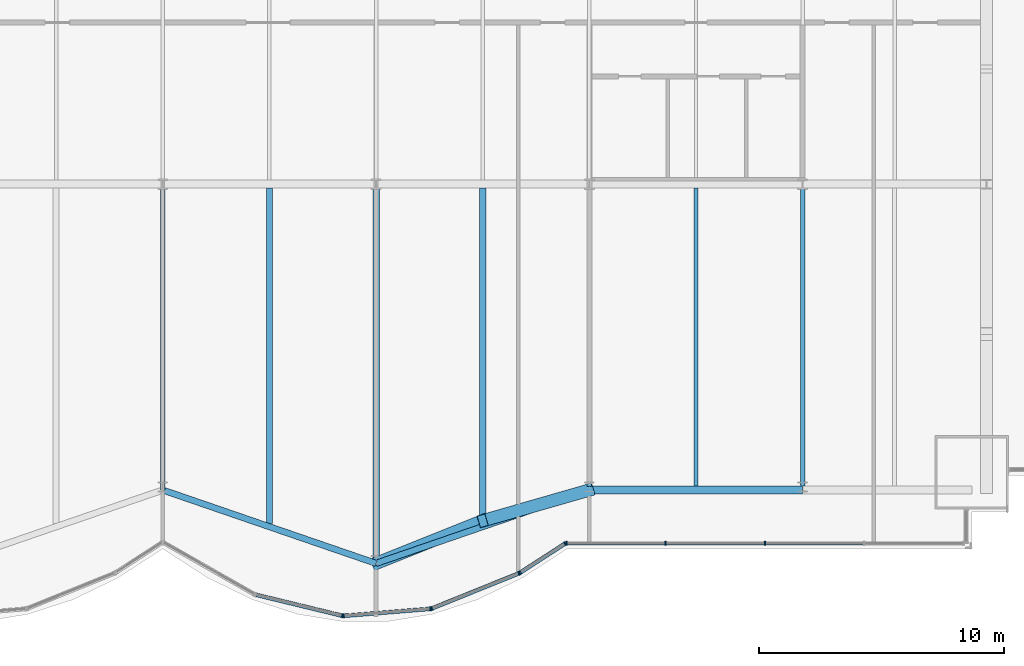
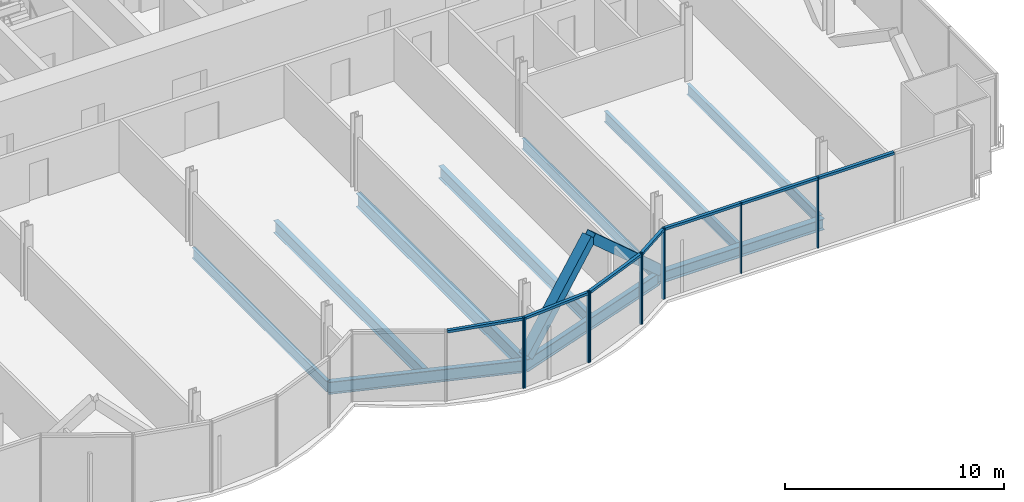
# One storey, part 8 of 21: 19 members, 10 beams, 2 elements without a shape of their own.
"""IFC4 building model written with IfcOpenShell, lengths in metres."""

import ifcopenshell
import ifcopenshell.guid

model = None  # the IFC model being written
_history = None  # IfcOwnerHistory: only IFC2X3 demands one
_inside = {}  # id of a spatial element -> (the spatial element, [elements in it])
_under = {}  # id of a project, library or spatial element -> (it, [spatial elements below it])
_declared = {}  # id of a project -> (the project, [libraries it declares])
_typed = {}  # id of a type object -> (the type object, [elements of that type])
_made_of = {}  # id of a material, layer set ... -> (it, [elements and type objects made of it])


def new_model(schema):
    """Start an empty IFC model of exactly this schema.

    Asked for "IFC4X3", IfcOpenShell would pick the latest addendum, in which some entities
    have other attributes; the version numbers below select the first issue.
    IFC2X3 requires an IfcOwnerHistory on every rooted entity: one is made here for all.
    """
    global model, _history
    if schema == "IFC4X3":
        model = ifcopenshell.file(schema_version=(4, 3, 0, 0))
    else:
        model = ifcopenshell.file(schema=schema)
    _inside.clear()
    _under.clear()
    _declared.clear()
    _typed.clear()
    _made_of.clear()
    _history = None
    if model.schema == "IFC2X3":
        org = make("IfcOrganization", Name="unknown")
        user = make(
            "IfcPersonAndOrganization",
            ThePerson=make("IfcPerson", FamilyName="unknown"),
            TheOrganization=org,
        )
        app = make(
            "IfcApplication",
            ApplicationDeveloper=org,
            Version="unknown",
            ApplicationFullName="unknown",
            ApplicationIdentifier="unknown",
        )
        _history = make(
            "IfcOwnerHistory",
            OwningUser=user,
            OwningApplication=app,
            ChangeAction="ADDED",
            CreationDate=0,
        )
    return model


def make(cls, **values):
    """One entity of the class cls with the attributes given. An attribute that is None is left unset."""
    return model.create_entity(
        cls, **{name: value for name, value in values.items() if value is not None}
    )


def rooted(cls, **values):
    """An entity with a GlobalId (a new one), such as an element, a storey or a relation."""
    return make(cls, GlobalId=ifcopenshell.guid.new(), OwnerHistory=_history, **values)


def si_unit(unit_type, name, prefix=None):
    """IfcSIUnit, for example si_unit("LENGTHUNIT", "METRE", prefix="MILLI")."""
    return make("IfcSIUnit", UnitType=unit_type, Prefix=prefix, Name=name)


def assignment(units):
    """IfcUnitAssignment: the units of a project."""
    return None if units is None else make("IfcUnitAssignment", Units=units)


def point(xyz):
    """IfcCartesianPoint."""
    return None if xyz is None else make("IfcCartesianPoint", Coordinates=xyz)


def direction(xyz):
    """IfcDirection."""
    return None if xyz is None else make("IfcDirection", DirectionRatios=xyz)


def frame(location, z_axis=None, x_axis=None):
    """IfcAxis2Placement3D, a coordinate frame: its origin and axes. An axis left out is left unset."""
    return make(
        "IfcAxis2Placement3D",
        Location=point(location),
        Axis=direction(z_axis),
        RefDirection=direction(x_axis),
    )


def frame_2d(location, x_axis=None):
    """IfcAxis2Placement2D, a coordinate frame in the plane: its origin and x axis."""
    return make(
        "IfcAxis2Placement2D", Location=point(location), RefDirection=direction(x_axis)
    )


def origin():
    """The frame at (0, 0, 0) with its axes left unset."""
    return frame((0.0, 0.0, 0.0))


def origin_2d():
    """The frame at (0, 0) in the plane with its x axis left unset."""
    return frame_2d((0.0, 0.0))


def place(relative_to, where):
    """IfcLocalPlacement: puts the frame where relative to a parent placement (None: the world)."""
    return make(
        "IfcLocalPlacement", PlacementRelTo=relative_to, RelativePlacement=where
    )


def context(
    kind, dimensions, precision=None, world=None, true_north=None, identifier=None
):
    """IfcGeometricRepresentationContext, for example the 3D "Model" context."""
    return make(
        "IfcGeometricRepresentationContext",
        ContextIdentifier=identifier,
        ContextType=kind,
        CoordinateSpaceDimension=dimensions,
        Precision=precision,
        WorldCoordinateSystem=world,
        TrueNorth=true_north,
    )


def subcontext(parent, identifier, kind, view, scale=None):
    """IfcGeometricRepresentationSubContext, for example "Body" below "Model"."""
    return make(
        "IfcGeometricRepresentationSubContext",
        ContextIdentifier=identifier,
        ContextType=kind,
        ParentContext=parent,
        TargetScale=scale,
        TargetView=view,
    )


def project(units=None, contexts=None):
    """IfcProject with its units and contexts."""
    return rooted(
        "IfcProject",
        Name="project",
        RepresentationContexts=contexts,
        UnitsInContext=assignment(units),
    )


def spatial(cls, under=None, at=None, **own):
    """A site, building, storey or space (cls), placed at a placement, below another one or the project."""
    s = rooted(cls, ObjectPlacement=at, **own)
    if under is not None:
        _under.setdefault(under.id(), (under, []))[1].append(s)
    return s


def profile(cls, at=None, kind="AREA", **sizes):
    """A parametric profile (cls). Its sizes go by their IFC names, for example OverallWidth=200.0."""
    return make(cls, ProfileType=kind, Position=at, **sizes)


def rectangle(**sizes):
    """IfcRectangleProfileDef."""
    return profile("IfcRectangleProfileDef", **sizes)


def hollow_rectangle(**sizes):
    """IfcRectangleHollowProfileDef."""
    return profile("IfcRectangleHollowProfileDef", **sizes)


def i_section(**sizes):
    """IfcIShapeProfileDef."""
    return profile("IfcIShapeProfileDef", **sizes)


def extrude(swept, where, along, depth):
    """IfcExtrudedAreaSolid: the profile swept, set in the frame where, extruded along a direction by depth."""
    return make(
        "IfcExtrudedAreaSolid",
        SweptArea=swept,
        Position=where,
        ExtrudedDirection=direction(along),
        Depth=depth,
    )


def shape(context_of_items, identifier, shape_type, items):
    """IfcShapeRepresentation: the items that make up one representation, for example the "Body"."""
    return make(
        "IfcShapeRepresentation",
        ContextOfItems=context_of_items,
        RepresentationIdentifier=identifier,
        RepresentationType=shape_type,
        Items=items,
    )


def material(Name=None, Category=None):
    """IfcMaterial."""
    return make("IfcMaterial", Name=Name, Category=Category)


def material_profile(
    of_material, cross_section, Name=None, Category=None, Priority=None
):
    """IfcMaterialProfile: a cross section and its material."""
    return make(
        "IfcMaterialProfile",
        Name=Name,
        Material=of_material,
        Profile=cross_section,
        Priority=Priority,
        Category=Category,
    )


def profile_set(profiles, Name=None, composite=None):
    """IfcMaterialProfileSet."""
    return make(
        "IfcMaterialProfileSet",
        Name=Name,
        MaterialProfiles=profiles,
        CompositeProfile=composite,
    )


def made_of(thing, what):
    """Note that an element or type object is made of a material, layer set ...; save() writes the relation."""
    if what is not None:
        _made_of.setdefault(what.id(), (what, []))[1].append(thing)
    return thing


def type_object(cls, material=None, **own):
    """A type object (cls), such as IfcWallType, which elements share."""
    return made_of(rooted(cls, **own), material)


def element(
    cls,
    number,
    at=None,
    inside=None,
    cuts=None,
    type_object=None,
    material=None,
    context=None,
    identifier="Body",
    shape_type=None,
    held_by="IfcProductDefinitionShape",
    body=None,
    shapes=None,
    **own,
):
    """One element of the class cls, such as IfcWall. Its Tag is "e" and its number.

    at: its placement. inside: the storey or other place that contains it. cuts: it is an
    opening in that element (IfcRelVoidsElement). A single representation is given by context,
    identifier, shape_type and body (its items); several are given by shapes. held_by: the class
    of the entity that holds the representations. save() writes the other relations.
    """
    e = rooted(cls, Tag="e%d" % number, ObjectPlacement=at, **own)
    if body is not None:
        shapes = [shape(context, identifier, shape_type, body)]
    if shapes is not None:
        e.Representation = make(held_by, Representations=shapes)
    if inside is not None:
        _inside.setdefault(inside.id(), (inside, []))[1].append(e)
    if cuts is not None:
        rooted(
            "IfcRelVoidsElement", RelatingBuildingElement=cuts, RelatedOpeningElement=e
        )
    if type_object is not None:
        _typed.setdefault(type_object.id(), (type_object, []))[1].append(e)
    return made_of(e, material)


def aggregate(whole, parts):
    """IfcRelAggregates: a whole, such as a stair, and the parts it consists of."""
    return rooted("IfcRelAggregates", RelatingObject=whole, RelatedObjects=parts)


def save(model, path):
    """Write the relations noted so far, then the file.

    IfcRelAggregates (storeys below a building ...), IfcRelContainedInSpatialStructure (elements
    in a storey), IfcRelDefinesByType, IfcRelAssociatesMaterial and IfcRelDeclares: one each for
    every whole, place, type object, material and project.
    """
    for whole, parts in _under.values():
        aggregate(whole, parts)
    for where, things in _inside.values():
        rooted(
            "IfcRelContainedInSpatialStructure",
            RelatedElements=things,
            RelatingStructure=where,
        )
    for kind, things in _typed.values():
        rooted("IfcRelDefinesByType", RelatedObjects=things, RelatingType=kind)
    for what, things in _made_of.values():
        rooted("IfcRelAssociatesMaterial", RelatedObjects=things, RelatingMaterial=what)
    for by, libraries in _declared.values():
        rooted("IfcRelDeclares", RelatingContext=by, RelatedDefinitions=libraries)
    model.write(path)


model = new_model("IFC4")

# Units and contexts
model_context = context("Model", 3, precision=1e-05, world=origin(), true_north=direction((0.0, 1.0)))
body_context = subcontext(model_context, "Body", "Model", "MODEL_VIEW")
ifc_project = project(units=[si_unit("LENGTHUNIT", "METRE"), si_unit("AREAUNIT", "SQUARE_METRE"), si_unit("VOLUMEUNIT", "CUBIC_METRE"), si_unit("PLANEANGLEUNIT", "RADIAN"), si_unit("MASSUNIT", "GRAM", prefix="KILO")], contexts=[model_context])

# Site, building, storey
site_placement = place(None, origin())
site = spatial("IfcSite", under=ifc_project, at=site_placement, CompositionType="ELEMENT")
building_placement = place(site_placement, origin())
building = spatial("IfcBuilding", under=site, at=building_placement, Name="Bicima Exchange Tower", CompositionType="ELEMENT")
storey_placement = place(building_placement, frame((0.0, 0.0, 126.800048828125)))
storey = spatial("IfcBuildingStorey", under=building, at=storey_placement, Name="L27", CompositionType="ELEMENT", Elevation=126.800048828125)

# Beams
ifc_material_1 = material(Name="Steel ASTM A992 Gr 50", Category="steel")
ifc_material_profile_1 = material_profile(ifc_material_1, i_section(OverallWidth=0.177978515625, OverallDepth=0.599365234375, WebThickness=0.010009765625, FlangeThickness=0.012939453125, at=origin_2d()))
ifc_profile_set_1 = profile_set([ifc_material_profile_1], Name="Steel ASTM A992 Gr 50")
beam_type_1 = type_object("IfcBeamType", Name="Floor beam W24x55", PredefinedType="JOIST", material=ifc_profile_set_1)
beam_1_placement = place(storey_placement, frame((0.0, -22.16259765625, -0.44970703125), z_axis=(0.0, -1.0, 0.0), x_axis=(1.0, 0.0, 0.0)))
element("IfcBeam", 1, at=beam_1_placement, inside=storey, type_object=beam_type_1, Name="Floor beam", PredefinedType="JOIST", context=body_context, shape_type="SweptSolid", body=[
    extrude(i_section(OverallWidth=0.177978515625, OverallDepth=0.599365234375, WebThickness=0.010009765625, FlangeThickness=0.012939453125, at=origin_2d()), origin(), (0.0, 0.0, 1.0), 12.3134765625),
])
beam_2_placement = place(storey_placement, frame((17.39990234375, -22.16259765625, -0.44970703125), z_axis=(0.0, -1.0, 0.0), x_axis=(1.0, 0.0, 0.0)))
element("IfcBeam", 2, at=beam_2_placement, inside=storey, type_object=beam_type_1, Name="Floor beam", PredefinedType="JOIST", context=body_context, shape_type="SweptSolid", body=[
    extrude(i_section(OverallWidth=0.177978515625, OverallDepth=0.599365234375, WebThickness=0.010009765625, FlangeThickness=0.012939453125, at=origin_2d()), origin(), (0.0, 0.0, 1.0), 12.177734375),
])
for number, where, z_axis, x_axis, name in (
    (3, (21.75, -22.16259765625, -0.44970703125), (0.0, -1.0, 0.0), (1.0, 0.0, 0.0), "Floor beam"),
    (4, (26.10009765625, -22.16259765625, -0.44970703125), (0.0, -1.0, 0.0), (1.0, 0.0, 0.0), "Floor beam"),
):
    element("IfcBeam", number, at=place(storey_placement, frame(where, z_axis=z_axis, x_axis=x_axis)), inside=storey, type_object=beam_type_1, Name=name, PredefinedType="JOIST", context=body_context, shape_type="SweptSolid", body=[
        extrude(i_section(OverallWidth=0.177978515625, OverallDepth=0.599365234375, WebThickness=0.010009765625, FlangeThickness=0.012939453125, at=origin_2d()), origin(), (0.0, 0.0, 1.0), 12.15087890625),
    ])
ifc_material_profile_2 = material_profile(ifc_material_1, i_section(OverallWidth=0.25390625, OverallDepth=0.67822265625, WebThickness=0.01171875, FlangeThickness=0.016357421875, at=origin_2d()))
ifc_profile_set_2 = profile_set([ifc_material_profile_2], Name="Steel ASTM A992 Gr 50")
beam_type_2 = type_object("IfcBeamType", Name="Floor beam W27x84", PredefinedType="JOIST", material=ifc_profile_set_2)
for number, where, z_axis, x_axis, name in (
    (5, (4.35009765625, -22.16259765625, -0.4892578125), (0.0, -1.0, 0.0), (1.0, 0.0, 0.0), "Floor beam"),
    (6, (13.050048828125, -22.16259765625, -0.4892578125), (0.0, -1.0, 0.0), (1.0, 0.0, 0.0), "Floor beam"),
):
    element("IfcBeam", number, at=place(storey_placement, frame(where, z_axis=z_axis, x_axis=x_axis)), inside=storey, type_object=beam_type_2, Name=name, PredefinedType="JOIST", context=body_context, shape_type="SweptSolid", body=[
        extrude(i_section(OverallWidth=0.25390625, OverallDepth=0.67822265625, WebThickness=0.01171875, FlangeThickness=0.016357421875, at=origin_2d()), origin(), (0.0, 0.0, 1.0), 13.67333984375),
    ])
ifc_material_profile_3 = material_profile(ifc_material_1, i_section(OverallWidth=0.2666015625, OverallDepth=0.75439453125, WebThickness=0.01318359375, FlangeThickness=0.01708984375, at=origin_2d()))
ifc_profile_set_3 = profile_set([ifc_material_profile_3], Name="Steel ASTM A992 Gr 50")
beam_type_3 = type_object("IfcBeamType", Name="Floor beam W30x99", PredefinedType="JOIST", material=ifc_profile_set_3)
beam_3_placement = place(storey_placement, frame((8.699951171875, -22.16259765625, -0.52734375), z_axis=(0.0, -1.0, 0.0), x_axis=(1.0, 0.0, 0.0)))
element("IfcBeam", 7, at=beam_3_placement, inside=storey, type_object=beam_type_3, Name="Floor beam", PredefinedType="JOIST", context=body_context, shape_type="SweptSolid", body=[
    extrude(i_section(OverallWidth=0.2666015625, OverallDepth=0.75439453125, WebThickness=0.01318359375, FlangeThickness=0.01708984375, at=origin_2d()), origin(), (0.0, 0.0, 1.0), 15.168701171875),
])
ifc_material_profile_4 = material_profile(ifc_material_1, i_section(OverallWidth=0.3251953125, OverallDepth=0.612060546875, WebThickness=0.0126953125, FlangeThickness=0.01904296875, at=origin_2d()))
ifc_profile_set_4 = profile_set([ifc_material_profile_4], Name="Steel ASTM A992 Gr 50")
beam_type_4 = type_object("IfcBeamType", Name="Front girder W24x104", PredefinedType="BEAM", material=ifc_profile_set_4)
beam_4_placement = place(storey_placement, frame((17.39990234375, -34.47607421875, -0.4560546875), z_axis=(1.0, 0.0, 0.0), x_axis=(0.0, 1.0, 0.0)))
element("IfcBeam", 8, at=beam_4_placement, inside=storey, type_object=beam_type_4, Name="Front girder", PredefinedType="BEAM", context=body_context, shape_type="SweptSolid", body=[
    extrude(i_section(OverallWidth=0.3251953125, OverallDepth=0.612060546875, WebThickness=0.0126953125, FlangeThickness=0.01904296875, at=origin_2d()), origin(), (0.0, 0.0, 1.0), 8.7001953125),
])
ifc_material_profile_5 = material_profile(ifc_material_1, i_section(OverallWidth=0.256591796875, OverallDepth=0.693359375, WebThickness=0.014404296875, FlangeThickness=0.023681640625, at=origin_2d()))
ifc_profile_set_5 = profile_set([ifc_material_profile_5], Name="Steel ASTM A992 Gr 50")
beam_type_5 = type_object("IfcBeamType", Name="Front girder W27x114", PredefinedType="BEAM", material=ifc_profile_set_5)
for number, where, z_axis, x_axis, name in (
    (9, (0.0, -34.47607421875, -0.496826171875), (0.945674616091, -0.32511462668, 0.0), (0.32511462668, 0.945674616091, 0.0), "Front girder"),
    (10, (8.699951171875, -37.467041015625, -0.496826171875), (0.945674616091, 0.32511462668, 0.0), (-0.32511462668, 0.945674616091, 0.0), "Front girder"),
):
    element("IfcBeam", number, at=place(storey_placement, frame(where, z_axis=z_axis, x_axis=x_axis)), inside=storey, type_object=beam_type_5, Name=name, PredefinedType="BEAM", context=body_context, shape_type="SweptSolid", body=[
        extrude(i_section(OverallWidth=0.256591796875, OverallDepth=0.693359375, WebThickness=0.014404296875, FlangeThickness=0.023681640625, at=origin_2d()), origin(), (0.0, 0.0, 1.0), 9.19970703125),
    ])

# Curtain wall, members
ifc_material_2 = material(Name="Anodised bronze aluminium", Category="aluminium")
curtain_wall_type = type_object("IfcCurtainWallType", Name="Front glass wall", PredefinedType="NOTDEFINED", material=ifc_material_2)
curtain_wall_1_placement = place(storey_placement, origin())
curtain_wall_1 = element("IfcCurtainWall", 11, at=curtain_wall_1_placement, inside=storey, type_object=curtain_wall_type, Name="Front glass wall L27 run 11", PredefinedType="NOTDEFINED")
ifc_material_profile_6 = material_profile(ifc_material_2, rectangle(XDim=0.159912109375, YDim=0.06005859375, at=origin_2d()))
ifc_profile_set_6 = profile_set([ifc_material_profile_6], Name="Anodised bronze aluminium")
member_type_1 = type_object("IfcMemberType", Name="Front glass wall mullion 60 x 160", PredefinedType="MULLION", material=ifc_profile_set_6)
member_1_placement = place(storey_placement, frame((7.322509765625, -39.601806640625, 0.0), z_axis=(0.0, 0.0, 1.0), x_axis=(0.235681529503, 0.971830343553, 0.0)))
member_1 = element("IfcMember", 12, at=member_1_placement, type_object=member_type_1, Name="Front glass wall mullion 2", PredefinedType="MULLION", context=body_context, shape_type="SweptSolid", body=[
    extrude(rectangle(XDim=0.159912109375, YDim=0.06005859375, at=origin_2d()), origin(), (0.0, 0.0, 1.0), 3.949951171875),
])
member_2_placement = place(storey_placement, frame((7.381591796875, -39.606689453125, 0.0), z_axis=(0.0, 0.0, 1.0), x_axis=(-0.080588612633, 0.99674744821, 0.0)))
member_2 = element("IfcMember", 13, at=member_2_placement, type_object=member_type_1, Name="Front glass wall mullion 1", PredefinedType="MULLION", context=body_context, shape_type="SweptSolid", body=[
    extrude(rectangle(XDim=0.159912109375, YDim=0.06005859375, at=origin_2d()), origin(), (0.0, 0.0, 1.0), 3.949951171875),
])
member_3_placement = place(storey_placement, frame((10.916015625, -39.32080078125, 0.0), z_axis=(0.0, 0.0, 1.0), x_axis=(-0.080588612633, 0.99674744821, 0.0)))
member_3 = element("IfcMember", 14, at=member_3_placement, type_object=member_type_1, Name="Front glass wall mullion 2", PredefinedType="MULLION", context=body_context, shape_type="SweptSolid", body=[
    extrude(rectangle(XDim=0.159912109375, YDim=0.06005859375, at=origin_2d()), origin(), (0.0, 0.0, 1.0), 3.949951171875),
])
member_4_placement = place(storey_placement, frame((10.973876953125, -39.30712890625, 0.0), z_axis=(0.0, 0.0, 1.0), x_axis=(-0.374705304, 0.92714396679, 0.0)))
member_4 = element("IfcMember", 15, at=member_4_placement, type_object=member_type_1, Name="Front glass wall mullion 1", PredefinedType="MULLION", context=body_context, shape_type="SweptSolid", body=[
    extrude(rectangle(XDim=0.159912109375, YDim=0.06005859375, at=origin_2d()), origin(), (0.0, 0.0, 1.0), 3.949951171875),
])
member_5_placement = place(storey_placement, frame((14.52587890625, -37.87158203125, 0.0), z_axis=(0.0, 0.0, 1.0), x_axis=(-0.374705304, 0.92714396679, 0.0)))
member_5 = element("IfcMember", 16, at=member_5_placement, type_object=member_type_1, Name="Front glass wall mullion 2", PredefinedType="MULLION", context=body_context, shape_type="SweptSolid", body=[
    extrude(rectangle(XDim=0.159912109375, YDim=0.06005859375, at=origin_2d()), origin(), (0.0, 0.0, 1.0), 3.949951171875),
])
member_6_placement = place(storey_placement, frame((14.578857421875, -37.843994140625, 0.0), z_axis=(0.0, 0.0, 1.0), x_axis=(-0.542909183079, 0.839791413941, 0.0)))
member_6 = element("IfcMember", 17, at=member_6_placement, type_object=member_type_1, Name="Front glass wall mullion 1", PredefinedType="MULLION", context=body_context, shape_type="SweptSolid", body=[
    extrude(rectangle(XDim=0.159912109375, YDim=0.06005859375, at=origin_2d()), origin(), (0.0, 0.0, 1.0), 3.949951171875),
])
member_7_placement = place(storey_placement, frame((16.406982421875, -36.662353515625, 0.0), z_axis=(0.0, 0.0, 1.0), x_axis=(-0.542909183079, 0.839791413941, 0.0)))
member_7 = element("IfcMember", 18, at=member_7_placement, type_object=member_type_1, Name="Front glass wall mullion 2", PredefinedType="MULLION", context=body_context, shape_type="SweptSolid", body=[
    extrude(rectangle(XDim=0.159912109375, YDim=0.06005859375, at=origin_2d()), origin(), (0.0, 0.0, 1.0), 3.949951171875),
])

curtain_wall_2_placement = place(storey_placement, origin())
curtain_wall_2 = element("IfcCurtainWall", 19, at=curtain_wall_2_placement, inside=storey, type_object=curtain_wall_type, Name="Front glass wall L27 run 16", PredefinedType="NOTDEFINED")
member_8_placement = place(storey_placement, frame((16.462158203125, -36.64599609375, 0.0), z_axis=(0.0, 0.0, 1.0), x_axis=(0.0, 1.0, 0.0)))
member_8 = element("IfcMember", 20, at=member_8_placement, type_object=member_type_1, Name="Front glass wall mullion 1", PredefinedType="MULLION", context=body_context, shape_type="SweptSolid", body=[
    extrude(rectangle(XDim=0.159912109375, YDim=0.06005859375, at=origin_2d()), origin(), (0.0, 0.0, 1.0), 3.949951171875),
])
member_9_placement = place(storey_placement, frame((20.51171875, -36.64599609375, 0.0), z_axis=(0.0, 0.0, 1.0), x_axis=(0.0, 1.0, 0.0)))
member_9 = element("IfcMember", 21, at=member_9_placement, type_object=member_type_1, Name="Front glass wall mullion 2", PredefinedType="MULLION", context=body_context, shape_type="SweptSolid", body=[
    extrude(rectangle(XDim=0.159912109375, YDim=0.06005859375, at=origin_2d()), origin(), (0.0, 0.0, 1.0), 3.949951171875),
])
member_10_placement = place(storey_placement, frame((24.56103515625, -36.64599609375, 0.0), z_axis=(0.0, 0.0, 1.0), x_axis=(0.0, 1.0, 0.0)))
member_10 = element("IfcMember", 22, at=member_10_placement, type_object=member_type_1, Name="Front glass wall mullion 3", PredefinedType="MULLION", context=body_context, shape_type="SweptSolid", body=[
    extrude(rectangle(XDim=0.159912109375, YDim=0.06005859375, at=origin_2d()), origin(), (0.0, 0.0, 1.0), 3.949951171875),
])

# Member
ifc_material_profile_7 = material_profile(ifc_material_2, rectangle(XDim=0.159912109375, YDim=0.139892578125, at=origin_2d()))
ifc_profile_set_7 = profile_set([ifc_material_profile_7], Name="Anodised bronze aluminium")
member_type_2 = type_object("IfcMemberType", Name="Front glass wall transom 140 x 160", PredefinedType="USERDEFINED", material=ifc_profile_set_7)
member_11_placement = place(storey_placement, frame((3.81103515625, -38.750244140625, 3.8798828125), z_axis=(0.971817951661, -0.235732621477, 0.0), x_axis=(0.235732621477, 0.971817951661, 0.0)))
member_11 = element("IfcMember", 23, at=member_11_placement, type_object=member_type_2, Name="Front glass wall transom 1.1", ObjectType="TRANSOM", PredefinedType="USERDEFINED", context=body_context, shape_type="SweptSolid", body=[
    extrude(rectangle(XDim=0.159912109375, YDim=0.139892578125, at=origin_2d()), origin(), (0.0, 0.0, 1.0), 3.58349609375),
])

member_12_placement = place(storey_placement, frame((7.41162109375, -39.604248046875, 3.8798828125), z_axis=(0.9967456465, 0.080610893699, 0.0), x_axis=(-0.080610893699, 0.9967456465, 0.0)))
member_12 = element("IfcMember", 24, at=member_12_placement, type_object=member_type_2, Name="Front glass wall transom 1.1", ObjectType="TRANSOM", PredefinedType="USERDEFINED", context=body_context, shape_type="SweptSolid", body=[
    extrude(rectangle(XDim=0.159912109375, YDim=0.139892578125, at=origin_2d()), origin(), (0.0, 0.0, 1.0), 3.48583984375),
])

member_13_placement = place(storey_placement, frame((11.001708984375, -39.2958984375, 3.8798828125), z_axis=(0.927140215882, 0.374714584842, 0.0), x_axis=(-0.374714584842, 0.927140215882, 0.0)))
member_13 = element("IfcMember", 25, at=member_13_placement, type_object=member_type_2, Name="Front glass wall transom 1.1", ObjectType="TRANSOM", PredefinedType="USERDEFINED", context=body_context, shape_type="SweptSolid", body=[
    extrude(rectangle(XDim=0.159912109375, YDim=0.139892578125, at=origin_2d()), origin(), (0.0, 0.0, 1.0), 3.77099609375),
])

member_14_placement = place(storey_placement, frame((14.60400390625, -37.827880859375, 3.8798828125), z_axis=(0.839792890287, 0.542906899407, 0.0), x_axis=(-0.542906899407, 0.839792890287, 0.0)))
member_14 = element("IfcMember", 26, at=member_14_placement, type_object=member_type_2, Name="Front glass wall transom 1.1", ObjectType="TRANSOM", PredefinedType="USERDEFINED", context=body_context, shape_type="SweptSolid", body=[
    extrude(rectangle(XDim=0.159912109375, YDim=0.139892578125, at=origin_2d()), origin(), (0.0, 0.0, 1.0), 2.11669921875),
])

aggregate(curtain_wall_1, [member_1, member_11, member_2, member_3, member_12, member_4, member_5, member_13, member_6, member_7, member_14])

member_15_placement = place(storey_placement, frame((16.4921875, -36.64599609375, 3.8798828125), z_axis=(1.0, 0.0, 0.0), x_axis=(0.0, 1.0, 0.0)))
member_15 = element("IfcMember", 27, at=member_15_placement, type_object=member_type_2, Name="Front glass wall transom 1.1", ObjectType="TRANSOM", PredefinedType="USERDEFINED", context=body_context, shape_type="SweptSolid", body=[
    extrude(rectangle(XDim=0.159912109375, YDim=0.139892578125, at=origin_2d()), origin(), (0.0, 0.0, 1.0), 3.989501953125),
])

member_16_placement = place(storey_placement, frame((20.54150390625, -36.64599609375, 3.8798828125), z_axis=(1.0, 0.0, 0.0), x_axis=(0.0, 1.0, 0.0)))
member_16 = element("IfcMember", 28, at=member_16_placement, type_object=member_type_2, Name="Front glass wall transom 2.1", ObjectType="TRANSOM", PredefinedType="USERDEFINED", context=body_context, shape_type="SweptSolid", body=[
    extrude(rectangle(XDim=0.159912109375, YDim=0.139892578125, at=origin_2d()), origin(), (0.0, 0.0, 1.0), 3.989501953125),
])

member_17_placement = place(storey_placement, frame((24.591064453125, -36.64599609375, 3.8798828125), z_axis=(1.0, 0.0, 0.0), x_axis=(0.0, 1.0, 0.0)))
member_17 = element("IfcMember", 29, at=member_17_placement, type_object=member_type_2, Name="Front glass wall transom 3.1", ObjectType="TRANSOM", PredefinedType="USERDEFINED", context=body_context, shape_type="SweptSolid", body=[
    extrude(rectangle(XDim=0.159912109375, YDim=0.139892578125, at=origin_2d()), origin(), (0.0, 0.0, 1.0), 3.989501953125),
])

aggregate(curtain_wall_2, [member_8, member_9, member_10, member_15, member_16, member_17])

# Members
ifc_material_3 = material(Name="Steel ASTM A572 Gr 50", Category="steel")
ifc_material_profile_8 = material_profile(ifc_material_3, hollow_rectangle(XDim=0.508056640625, YDim=0.508056640625, WallThickness=0.0146484375, at=origin_2d()))
ifc_profile_set_8 = profile_set([ifc_material_profile_8], Name="Steel ASTM A572 Gr 50")
member_type_3 = type_object("IfcMemberType", Name="Mega brace HSS20x20x5/8", PredefinedType="BRACE", material=ifc_profile_set_8)
member_18_placement = place(storey_placement, frame((8.699951171875, -37.467041015625, 0.0), z_axis=(0.698744239452, 0.279411421377, 0.658548210412), x_axis=(-0.371291842786, 0.928516218211, 0.0)))
element("IfcMember", 30, at=member_18_placement, inside=storey, type_object=member_type_3, Name="Mega brace front", PredefinedType="BRACE", context=body_context, shape_type="SweptSolid", body=[
    extrude(hollow_rectangle(XDim=0.508056640625, YDim=0.508056640625, WallThickness=0.0146484375, at=origin_2d()), origin(), (0.0, 0.0, 1.0), 6.2255859375),
])
member_19_placement = place(storey_placement, frame((17.39990234375, -34.47607421875, 0.0), z_axis=(-0.71226631392, -0.204920981375, 0.671330089783), x_axis=(0.27648739579, -0.961017544049, 0.0)))
element("IfcMember", 31, at=member_19_placement, inside=storey, type_object=member_type_3, Name="Mega brace front", PredefinedType="BRACE", context=body_context, shape_type="SweptSolid", body=[
    extrude(hollow_rectangle(XDim=0.508056640625, YDim=0.508056640625, WallThickness=0.0146484375, at=origin_2d()), origin(), (0.0, 0.0, 1.0), 6.107177734375),
])

save(model, "model.ifc")
